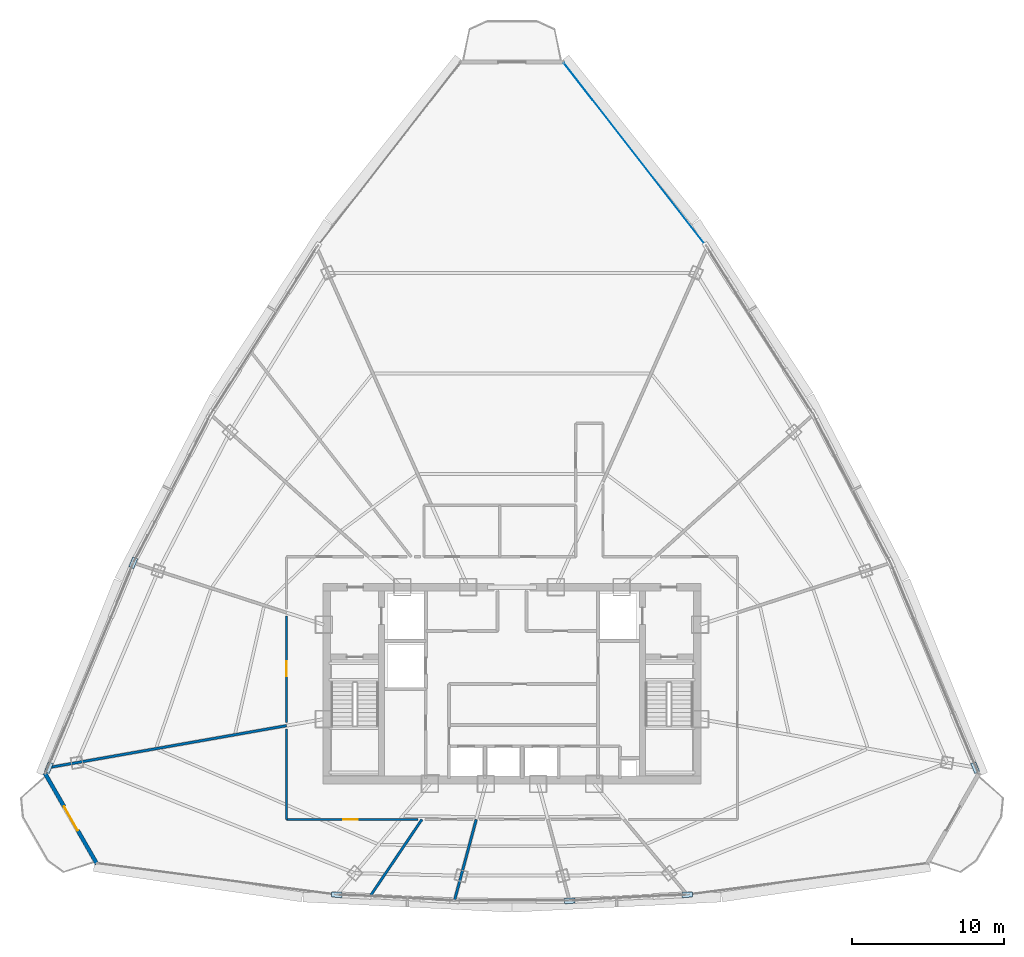
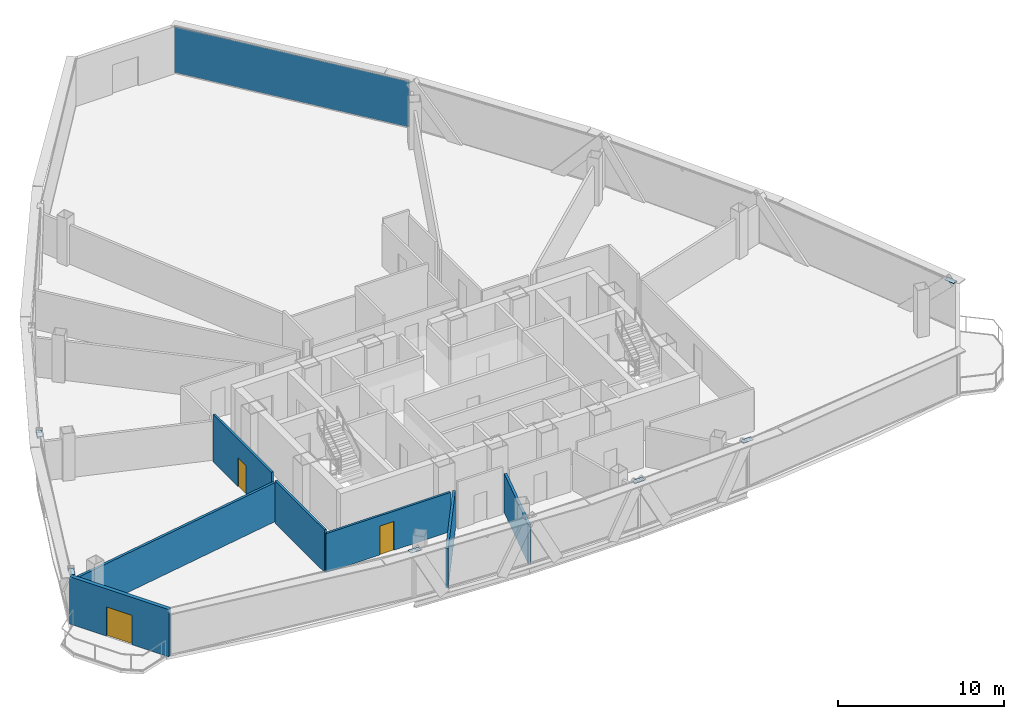
# One storey, part 29 of 35: 7 plates, 7 walls, 3 doors, 3 openings, 1 element without a shape of its own.
"""IFC4 building model written with IfcOpenShell, lengths in metres."""

from ifc_helpers import new_model, si_unit, direction, frame, frame_2d, origin, origin_with_axes, origin_2d, place, context, subcontext, project, spatial, rectangle, extrude, source, transform, mapped, material, layer, layer_set, type_object, element, fill, aggregate, save


model = new_model("IFC4")

# Units and contexts
model_context = context("Model", 3, precision=1e-05, world=origin(), true_north=direction((0.0, 1.0)))
body_context = subcontext(model_context, "Body", "Model", "MODEL_VIEW")
ifc_project = project(units=[si_unit("LENGTHUNIT", "METRE"), si_unit("AREAUNIT", "SQUARE_METRE"), si_unit("VOLUMEUNIT", "CUBIC_METRE"), si_unit("PLANEANGLEUNIT", "RADIAN"), si_unit("MASSUNIT", "GRAM", prefix="KILO"), si_unit("THERMODYNAMICTEMPERATUREUNIT", "KELVIN"), si_unit("POWERUNIT", "WATT")], contexts=[model_context])

# Site, building, storey
site_placement = place(None, origin())
site = spatial("IfcSite", under=ifc_project, at=site_placement, CompositionType="ELEMENT")
building_placement = place(site_placement, origin())
building = spatial("IfcBuilding", under=site, at=building_placement, Name="Yunzhuo Pagoda Commons", CompositionType="ELEMENT")
storey_placement = place(building_placement, frame((0.0, 0.0, 299.93994140625)))
storey = spatial("IfcBuildingStorey", under=building, at=storey_placement, Name="L75", CompositionType="ELEMENT", Elevation=299.93994140625)

# Plates
ifc_material_1 = material(Name="Structural steel Q355B", Category="steel")
ifc_layer_1 = layer(ifc_material_1, 0.028076171875)
ifc_layer_set_1 = layer_set([ifc_layer_1], Name="Structural steel Q355B")
plate_type_1 = type_object("IfcPlateType", Name="SP-ND1 Lattice Node Cap Plate 800x500x28", PredefinedType="USERDEFINED", material=ifc_layer_set_1)
shared_shape_1 = source(origin(), body_context, "Body", "SweptSolid", [
    extrude(rectangle(XDim=0.699951171875, YDim=0.35009765625, at=origin_2d()), origin(), (0.0, 0.0, 1.0), 0.035888671875),
])
for number, where, z_axis, x_axis, name in (
    (1, (36.45849609375, 19.9453125, 3.43212890625), (0.0, 0.0, 1.0), (0.998674826237, -0.051464467756, 0.0), "L75 setback lattice tie plate F1.1L"),
    (2, (51.79248046875, 19.5458984375, 3.43212890625), (0.0, 0.0, 1.0), (0.998674826237, 0.051464467756, 0.0), "L75 setback lattice tie plate F1.3L"),
    (3, (59.54150390625, 19.9453125, 3.43212890625), (0.0, 0.0, 1.0), (0.998674826237, 0.051464467756, 0.0), "L75 setback lattice tie plate F1.3R"),
    (4, (78.513916015625, 28.319580078125, 3.43212890625), (0.0, 0.0, 1.0), (-0.381344677903, 0.924432927061, 0.0), "L75 setback lattice tie plate F2.1L"),
    (5, (23.050048828125, 41.806640625, 3.43212890625), (0.0, 0.0, 1.0), (-0.381344677903, -0.924432927061, 0.0), "L75 setback lattice tie plate F3.3L"),
    (6, (17.486083984375, 28.319580078125, 3.43212890625), (0.0, 0.0, 1.0), (-0.381344677903, -0.924432927061, 0.0), "L75 setback lattice tie plate F3.3R"),
):
    element("IfcPlate", number, at=place(storey_placement, frame(where, z_axis=z_axis, x_axis=x_axis)), inside=storey, type_object=plate_type_1, Name=name, ObjectType="STIFFENER_PLATE", PredefinedType="USERDEFINED", context=body_context, shape_type="MappedRepresentation", body=[
        mapped(shared_shape_1, transform((0.0, 0.0, 0.0), scale=1.0)),
    ])

# Curtain wall, plate
ifc_material_2 = material(Name="Anodized aluminium 6063-T6", Category="aluminium")
ifc_layer_2 = layer(ifc_material_2, 0.139892578125)
ifc_layer_set_2 = layer_set([ifc_layer_2], Name="Anodized aluminium 6063-T6")
curtain_wall_type = type_object("IfcCurtainWallType", Name="CW-HI High-Zone Ribbon Curtain Wall", PredefinedType="NOTDEFINED", material=ifc_layer_set_2)
curtain_wall_placement = place(storey_placement, origin())
curtain_wall = element("IfcCurtainWall", 7, at=curtain_wall_placement, inside=storey, type_object=curtain_wall_type, Name="L75 curtain wall CW-L75-F2B5", PredefinedType="NOTDEFINED")
ifc_material_3 = material(Name="Tempered low-e double glazing", Category="glass")
ifc_layer_3 = layer(ifc_material_3, 0.02587890625)
ifc_layer_set_3 = layer_set([ifc_layer_3], Name="Tempered low-e double glazing")
plate_type_2 = type_object("IfcPlateType", Name="CW-HI-P Low-E Double Glazing 26", PredefinedType="CURTAIN_PANEL", material=ifc_layer_set_3)
shared_shape_2 = source(origin(), body_context, "Body", "SweptSolid", [
    extrude(rectangle(XDim=15.251708984375, YDim=0.028076171875, at=origin_2d()), origin(), (0.0, 0.0, 1.0), 3.360107421875),
])
plate_placement = place(storey_placement, frame((56.1005859375, 68.720703125, 0.05517578125), z_axis=(0.0, 0.0, 1.0), x_axis=(-0.613840173517, 0.78943032712, 0.0)))
plate = element("IfcPlate", 8, at=plate_placement, type_object=plate_type_2, Name="CW panel 1.1", PredefinedType="CURTAIN_PANEL", context=body_context, shape_type="MappedRepresentation", body=[
    mapped(shared_shape_2, transform((0.0, 0.0, 0.0), scale=1.0)),
])
aggregate(curtain_wall, [plate])

# Wall, opening, door
ifc_material_4 = material(Name="Precast concrete C40", Category="concrete")
ifc_layer_4 = layer(ifc_material_4, 0.260009765625)
ifc_layer_set_4 = layer_set([ifc_layer_4], Name="Precast concrete C40")
wall_type_1 = type_object("IfcWallType", Name="W-BAL1 Corner Balcony Threshold Wall 260", PredefinedType="STANDARD", material=ifc_layer_set_4)
wall_1_placement = place(storey_placement, frame((17.223388671875, 27.95654296875, 0.0), z_axis=(0.0, 0.0, 1.0), x_axis=(0.49793943781, -0.867211805889, 0.0)))
wall_1 = element("IfcWall", 9, at=wall_1_placement, inside=storey, type_object=wall_type_1, Name="L75 corner balcony wall V1", PredefinedType="STANDARD", context=body_context, shape_type="SweptSolid", body=[
    extrude(rectangle(XDim=6.903076171875, YDim=0.260009765625, at=frame_2d((3.45166015625, 0.0))), origin(), (0.0, 0.0, 1.0), 3.469970703125),
])
opening_1_placement = place(wall_1_placement, frame((2.551513671875, 0.0, 0.0)))
opening_1 = element("IfcOpeningElement", 10, at=opening_1_placement, cuts=wall_1, Name="Opening D-BAL1", PredefinedType="OPENING", context=body_context, shape_type="SweptSolid", body=[
    extrude(rectangle(XDim=1.800048828125, YDim=2.14990234375, at=frame_2d((0.89990234375, 1.074951171875))), frame((0.0, 0.14013671875, 0.0), z_axis=(0.0, -1.0, 0.0), x_axis=(1.0, 0.0, 0.0)), (0.0, 0.0, 1.0), 0.280029296875),
])
ifc_material_5 = material(Name="Anodized aluminium frame and tempered glazed leaf", Category="aluminium")
door_type_1 = type_object("IfcDoorType", Name="D-BAL1 Corner Balcony Sliding Glazed Door 1800x2150", OperationType="DOUBLE_DOOR_SLIDING", PredefinedType="DOOR", material=ifc_material_5)
shared_shape_3 = source(origin(), body_context, "Body", "SweptSolid", [
    extrude(rectangle(XDim=1.800048828125, YDim=2.14990234375, at=frame_2d((0.89990234375, 1.074951171875))), frame((0.0, 0.02490234375, 0.0), z_axis=(0.0, -1.0, 0.0), x_axis=(1.0, 0.0, 0.0)), (0.0, 0.0, 1.0), 0.050048828125),
])
door_1_placement = place(opening_1_placement, origin_with_axes())
door_1 = element("IfcDoor", 11, at=door_1_placement, inside=storey, type_object=door_type_1, Name="L75 corner balcony sliding door V1", OperationType="DOUBLE_DOOR_SLIDING", OverallHeight=2.14990234375, OverallWidth=1.800048828125, PredefinedType="DOOR", context=body_context, shape_type="MappedRepresentation", body=[
    mapped(shared_shape_3, transform((0.0, 0.0, 0.0), scale=1.0)),
])
fill(opening_1, door_1)

# Wall
ifc_material_6 = material(Name="Gypsum plasterboard on acoustic stud")
ifc_layer_5 = layer(ifc_material_6, 0.14990234375)
ifc_layer_set_5 = layer_set([ifc_layer_5], Name="Gypsum plasterboard on acoustic stud")
wall_type_2 = type_object("IfcWallType", Name="W-COR3 High-Zone Rated Corridor Wall 150", PredefinedType="PARTITIONING", material=ifc_layer_set_5)
wall_2_placement = place(storey_placement, frame((33.14990234375, 24.89990234375, 0.0), z_axis=(0.0, 0.0, 1.0), x_axis=(0.0, 1.0, 0.0)))
element("IfcWall", 12, at=wall_2_placement, inside=storey, type_object=wall_type_2, Name="L75 interior wall IW-L75-CWL01", PredefinedType="PARTITIONING", context=body_context, shape_type="SweptSolid", body=[
    extrude(rectangle(XDim=5.958251953125, YDim=0.14990234375, at=frame_2d((2.97900390625, 0.0))), origin(), (0.0, 0.0, 1.0), 3.1201171875),
])

# Wall, opening, door
wall_3_placement = place(storey_placement, frame((33.14990234375, 31.30126953125, 0.0), z_axis=(0.0, 0.0, 1.0), x_axis=(0.0, 1.0, 0.0)))
wall_3 = element("IfcWall", 13, at=wall_3_placement, inside=storey, type_object=wall_type_2, Name="L75 interior wall IW-L75-CWL02", PredefinedType="PARTITIONING", context=body_context, shape_type="SweptSolid", body=[
    extrude(rectangle(XDim=7.004150390625, YDim=0.14990234375, at=frame_2d((3.501953125, 0.0))), origin(), (0.0, 0.0, 1.0), 3.469970703125),
])
opening_2_placement = place(wall_3_placement, frame((3.027099609375, 0.0, 0.0)))
opening_2 = element("IfcOpeningElement", 14, at=opening_2_placement, cuts=wall_3, Name="Opening D-08", PredefinedType="OPENING", context=body_context, shape_type="SweptSolid", body=[
    extrude(rectangle(XDim=0.97998046875, YDim=2.1201171875, at=frame_2d((0.489990234375, 1.06005859375))), frame((0.0, 0.0849609375, 0.0), z_axis=(0.0, -1.0, 0.0), x_axis=(1.0, 0.0, 0.0)), (0.0, 0.0, 1.0), 0.169921875),
])
ifc_material_7 = material(Name="Galvanized fire-resisting metal leaf")
door_type_2 = type_object("IfcDoorType", Name="D-08 High-Zone Suite Entrance Fire Door 980x2120", OperationType="NOTDEFINED", PredefinedType="DOOR", material=ifc_material_7)
shared_shape_4 = source(origin(), body_context, "Body", "SweptSolid", [
    extrude(rectangle(XDim=0.97998046875, YDim=2.1201171875, at=frame_2d((0.489990234375, 1.06005859375))), frame((0.0, 0.02490234375, 0.0), z_axis=(0.0, -1.0, 0.0), x_axis=(1.0, 0.0, 0.0)), (0.0, 0.0, 1.0), 0.050048828125),
])
door_2_placement = place(opening_2_placement, origin_with_axes())
door_2 = element("IfcDoor", 15, at=door_2_placement, inside=storey, type_object=door_type_2, Name="L75 unit 07 entrance door", OperationType="SINGLE_SWING_LEFT", OverallHeight=2.1201171875, OverallWidth=0.97998046875, PredefinedType="DOOR", context=body_context, shape_type="MappedRepresentation", body=[
    mapped(shared_shape_4, transform((0.0, 0.0, 0.0), scale=1.0)),
])
fill(opening_2, door_2)

wall_4_placement = place(storey_placement, frame((41.798828125, 24.89990234375, 0.0), z_axis=(0.0, 0.0, 1.0), x_axis=(-1.0, 0.0, 0.0)))
wall_4 = element("IfcWall", 16, at=wall_4_placement, inside=storey, type_object=wall_type_2, Name="L75 interior wall IW-L75-CWL19", PredefinedType="PARTITIONING", context=body_context, shape_type="SweptSolid", body=[
    extrude(rectangle(XDim=8.64892578125, YDim=0.14990234375, at=frame_2d((4.324462890625, 0.0))), origin(), (0.0, 0.0, 1.0), 2.8701171875),
])
opening_3_placement = place(wall_4_placement, frame((3.94677734375, 0.0, 0.0)))
opening_3 = element("IfcOpeningElement", 17, at=opening_3_placement, cuts=wall_4, Name="Opening D-08", PredefinedType="OPENING", context=body_context, shape_type="SweptSolid", body=[
    extrude(rectangle(XDim=0.97998046875, YDim=2.1201171875, at=frame_2d((0.489990234375, 1.06005859375))), frame((0.0, 0.0849609375, 0.0), z_axis=(0.0, -1.0, 0.0), x_axis=(1.0, 0.0, 0.0)), (0.0, 0.0, 1.0), 0.169921875),
])
door_3_placement = place(opening_3_placement, origin_with_axes())
door_3 = element("IfcDoor", 18, at=door_3_placement, inside=storey, type_object=door_type_2, Name="L75 Shared Resident Kitchen and Pantry door", OperationType="SINGLE_SWING_RIGHT", OverallHeight=2.1201171875, OverallWidth=0.97998046875, PredefinedType="DOOR", context=body_context, shape_type="MappedRepresentation", body=[
    mapped(shared_shape_4, transform((0.0, 0.0, 0.0), scale=1.0)),
])
fill(opening_3, door_3)

# Walls
ifc_layer_6 = layer(ifc_material_6, 0.169921875)
ifc_layer_set_6 = layer_set([ifc_layer_6], Name="Gypsum plasterboard on acoustic stud")
wall_type_3 = type_object("IfcWallType", Name="W-PRT4 High-Zone Demising Wall 170", PredefinedType="PARTITIONING", material=ifc_layer_set_6)
wall_5_placement = place(storey_placement, frame((33.14990234375, 31.08154296875, 0.0), z_axis=(0.0, 0.0, 1.0), x_axis=(-0.984807655248, -0.173648732116, 0.0)))
element("IfcWall", 19, at=wall_5_placement, inside=storey, type_object=wall_type_3, Name="L75 interior wall IW-L75-RAD08", PredefinedType="PARTITIONING", context=body_context, shape_type="SweptSolid", body=[
    extrude(rectangle(XDim=15.905517578125, YDim=0.169921875, at=frame_2d((7.95263671875, 0.0))), origin(), (0.0, 0.0, 1.0), 2.8701171875),
])
wall_6_placement = place(storey_placement, frame((42.064208984375, 24.89990234375, 0.0), z_axis=(0.0, 0.0, 1.0), x_axis=(-0.559190191843, -0.829039401564, 0.0)))
element("IfcWall", 20, at=wall_6_placement, inside=storey, type_object=wall_type_3, Name="L75 interior wall IW-L75-RAD09", PredefinedType="PARTITIONING", context=body_context, shape_type="SweptSolid", body=[
    extrude(rectangle(XDim=6.1123046875, YDim=0.169921875, at=frame_2d((3.05615234375, 0.0))), origin(), (0.0, 0.0, 1.0), 2.8701171875),
])
wall_7_placement = place(storey_placement, frame((45.64208984375, 24.89990234375, 0.0), z_axis=(0.0, 0.0, 1.0), x_axis=(-0.258813875707, -0.96592721141, 0.0)))
element("IfcWall", 21, at=wall_7_placement, inside=storey, type_object=wall_type_3, Name="L75 interior wall IW-L75-RAD10", PredefinedType="PARTITIONING", context=body_context, shape_type="SweptSolid", body=[
    extrude(rectangle(XDim=5.54296875, YDim=0.169921875, at=frame_2d((2.771484375, 0.0))), origin(), (0.0, 0.0, 1.0), 2.8701171875),
])

save(model, "model.ifc")
